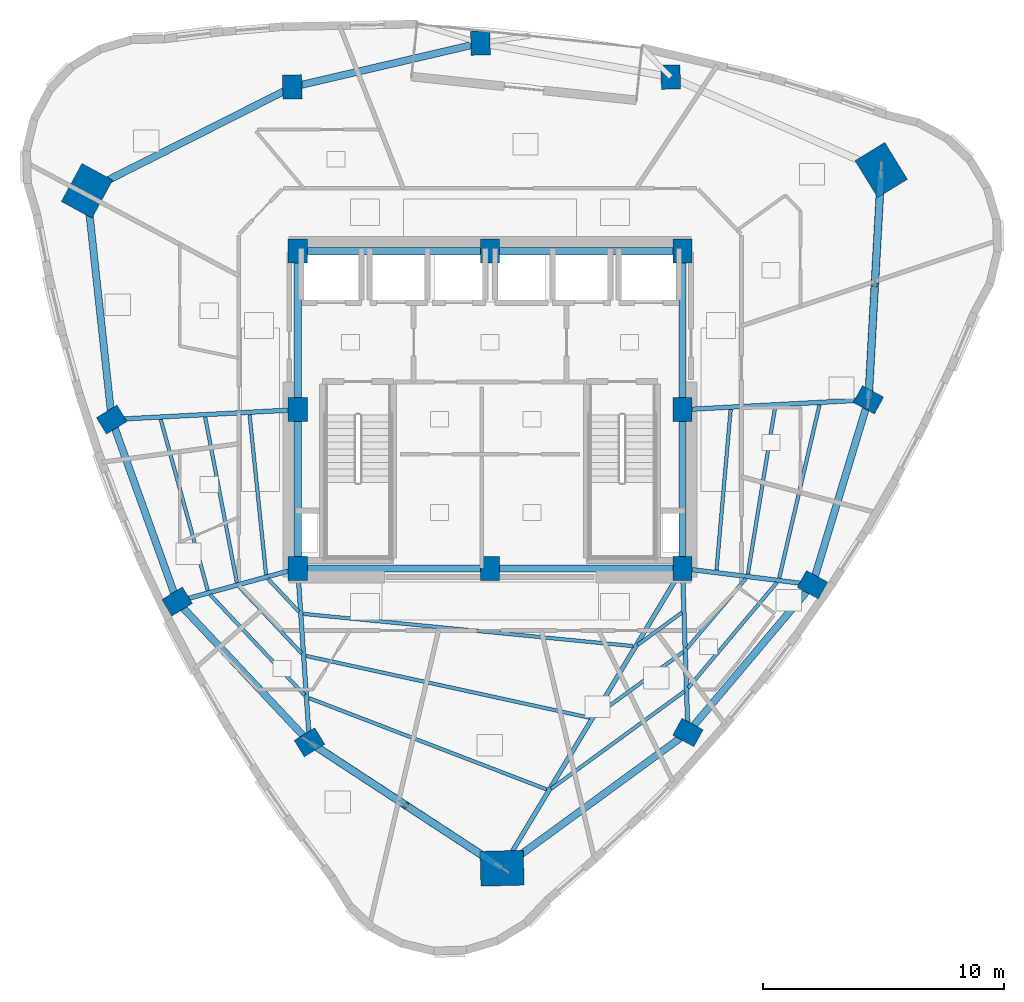
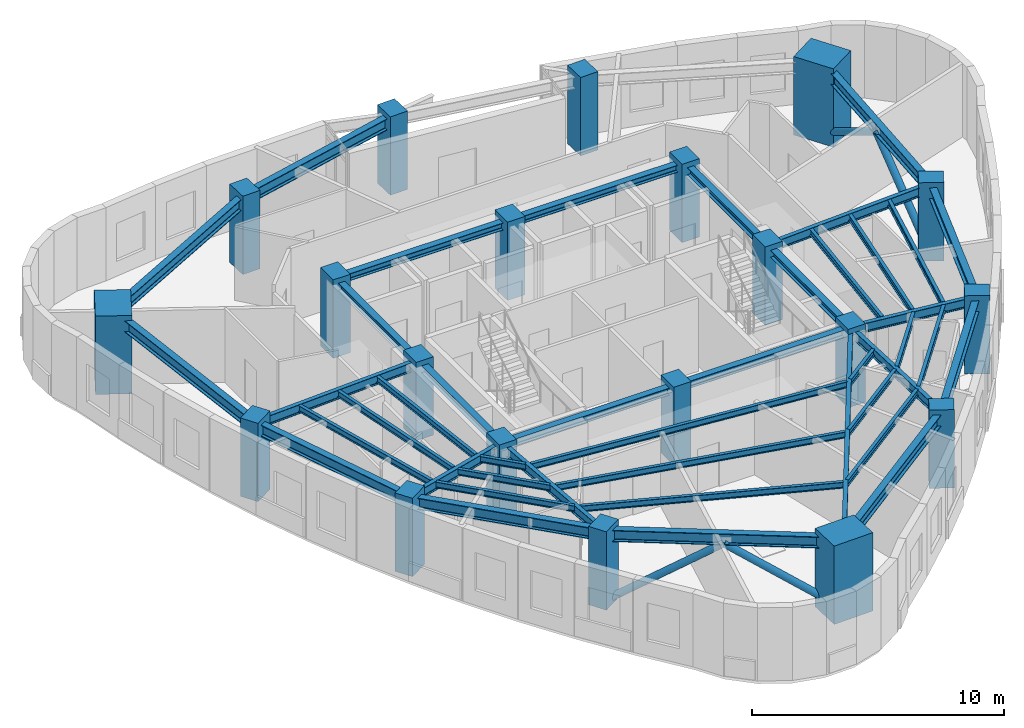
# One storey, part 1 of 12: 42 beams, 20 columns, 4 members.
"""IFC4 building model written with IfcOpenShell, lengths in metres."""

from ifc_helpers import new_model, si_unit, direction, frame, origin, origin_2d, place, context, subcontext, project, spatial, rectangle, hollow_circle, i_section, extrude, material, material_profile, profile_set, type_object, element, save


model = new_model("IFC4")

# Units and contexts
model_context = context("Model", 3, precision=1e-05, world=origin(), true_north=direction((0.0, 1.0)))
body_context = subcontext(model_context, "Body", "Model", "MODEL_VIEW")
ifc_project = project(units=[si_unit("LENGTHUNIT", "METRE"), si_unit("AREAUNIT", "SQUARE_METRE"), si_unit("VOLUMEUNIT", "CUBIC_METRE"), si_unit("PLANEANGLEUNIT", "RADIAN"), si_unit("MASSUNIT", "GRAM", prefix="KILO")], contexts=[model_context])

# Site, building, storey
site_placement = place(None, origin())
site = spatial("IfcSite", under=ifc_project, at=site_placement, CompositionType="ELEMENT")
building_placement = place(site_placement, origin())
building = spatial("IfcBuilding", under=site, at=building_placement, Name="Ndelora Gate Hotel", CompositionType="ELEMENT")
storey_placement = place(building_placement, frame((0.0, 0.0, 190.35009765625)))
storey = spatial("IfcBuildingStorey", under=building, at=storey_placement, Name="L47", CompositionType="ELEMENT", Elevation=190.35009765625)

# Columns
ifc_material_1 = material(Name="Concrete C50/60", Category="concrete")
ifc_material_profile_1 = material_profile(ifc_material_1, rectangle(XDim=0.800048828125, YDim=1.0, at=origin_2d()), Name="RC 1000x800")
ifc_profile_set_1 = profile_set([ifc_material_profile_1], Name="Concrete C50/60")
column_type_1 = type_object("IfcColumnType", Name="COL-CC-HI", PredefinedType="COLUMN", material=ifc_profile_set_1)
for number, where, z_axis, x_axis, name in (
    (1, (-8.0, -6.60009765625, 0.0), (0.0, 0.0, 1.0), (1.0, 0.0, 0.0), "L47 Core Column CC1"),
    (2, (0.0, -6.60009765625, 0.0), (0.0, 0.0, 1.0), (1.0, 0.0, 0.0), "L47 Core Column CC2"),
    (3, (8.0, -6.60009765625, 0.0), (0.0, 0.0, 1.0), (1.0, 0.0, 0.0), "L47 Core Column CC3"),
    (4, (8.0, 0.0, 0.0), (0.0, 0.0, 1.0), (1.0, 0.0, 0.0), "L47 Core Column CC4"),
    (5, (8.0, 6.60009765625, 0.0), (0.0, 0.0, 1.0), (1.0, 0.0, 0.0), "L47 Core Column CC5"),
    (6, (0.0, 6.60009765625, 0.0), (0.0, 0.0, 1.0), (1.0, 0.0, 0.0), "L47 Core Column CC6"),
    (7, (-8.0, 6.60009765625, 0.0), (0.0, 0.0, 1.0), (1.0, 0.0, 0.0), "L47 Core Column CC7"),
    (8, (-8.0, 0.0, 0.0), (0.0, 0.0, 1.0), (1.0, 0.0, 0.0), "L47 Core Column CC8"),
):
    element("IfcColumn", number, at=place(storey_placement, frame(where, z_axis=z_axis, x_axis=x_axis)), inside=storey, type_object=column_type_1, Name=name, PredefinedType="COLUMN", context=body_context, shape_type="SweptSolid", body=[
        extrude(rectangle(XDim=0.800048828125, YDim=1.0, at=origin_2d()), origin(), (0.0, 0.0, 1.0), 3.7998046875),
    ])
ifc_material_profile_2 = material_profile(ifc_material_1, rectangle(XDim=1.449951171875, YDim=1.800048828125, at=origin_2d()), Name="RC 1800x1450")
ifc_profile_set_2 = profile_set([ifc_material_profile_2], Name="Concrete C50/60")
column_type_2 = type_object("IfcColumnType", Name="COL-MC-Z3", PredefinedType="COLUMN", material=ifc_profile_set_2)
for number, where, z_axis, x_axis, name in (
    (9, (-16.759521484375, 9.099609375, 0.0), (0.0, 0.0, 1.0), (-0.878817112662, 0.47715876026, 0.0), "L47 Corner Mega-Column R1"),
    (10, (0.499267578125, -19.064208984375, 0.0), (0.0, 0.0, 1.0), (-0.026176948308, 0.999657324976, 0.0), "L47 Corner Mega-Column R5"),
    (11, (16.26025390625, 9.96435546875, 0.0), (0.0, 0.0, 1.0), (0.852640164354, 0.522498564716, 0.0), "L47 Corner Mega-Column R9"),
):
    element("IfcColumn", number, at=place(storey_placement, frame(where, z_axis=z_axis, x_axis=x_axis)), inside=storey, type_object=column_type_2, Name=name, PredefinedType="COLUMN", context=body_context, shape_type="SweptSolid", body=[
        extrude(rectangle(XDim=1.449951171875, YDim=1.800048828125, at=origin_2d()), origin(), (0.0, 0.0, 1.0), 3.7998046875),
    ])
ifc_material_profile_3 = material_profile(ifc_material_1, rectangle(XDim=0.800048828125, YDim=1.0, at=origin_2d()), Name="RC 1000x800")
ifc_profile_set_3 = profile_set([ifc_material_profile_3], Name="Concrete C50/60")
column_type_3 = type_object("IfcColumnType", Name="COL-PT-Z3", PredefinedType="COLUMN", material=ifc_profile_set_3)
for number, where, z_axis, x_axis, name in (
    (12, (-15.72998046875, -0.411865234375, 0.0), (0.0, 0.0, 1.0), (-0.522498564716, 0.852640164354, 0.0), "L47 Perimeter Tube Column R2"),
    (13, (-13.011962890625, -7.973876953125, 0.0), (0.0, 0.0, 1.0), (-0.522498564716, 0.852640164354, 0.0), "L47 Perimeter Tube Column R3"),
    (14, (-7.50830078125, -13.828369140625, 0.0), (0.0, 0.0, 1.0), (-0.522498564716, 0.852640164354, 0.0), "L47 Perimeter Tube Column R4"),
    (15, (8.223876953125, -13.419921875, 0.0), (0.0, 0.0, 1.0), (0.47715876026, 0.878817112662, 0.0), "L47 Perimeter Tube Column R6"),
    (16, (13.400390625, -7.275634765625, 0.0), (0.0, 0.0, 1.0), (0.47715876026, 0.878817112662, 0.0), "L47 Perimeter Tube Column R7"),
    (17, (15.72998046875, 0.411865234375, 0.0), (0.0, 0.0, 1.0), (0.47715876026, 0.878817112662, 0.0), "L47 Perimeter Tube Column R8"),
    (18, (7.50830078125, 13.828369140625, 0.0), (0.0, 0.0, 1.0), (0.999657324976, 0.026176948308, 0.0), "L47 Perimeter Tube Column R10"),
    (19, (-0.399169921875, 15.242919921875, 0.0), (0.0, 0.0, 1.0), (0.999657324976, 0.026176948308, 0.0), "L47 Perimeter Tube Column R11"),
    (20, (-8.2216796875, 13.41650390625, 0.0), (0.0, 0.0, 1.0), (0.999657324976, 0.026176948308, 0.0), "L47 Perimeter Tube Column R12"),
):
    element("IfcColumn", number, at=place(storey_placement, frame(where, z_axis=z_axis, x_axis=x_axis)), inside=storey, type_object=column_type_3, Name=name, PredefinedType="COLUMN", context=body_context, shape_type="SweptSolid", body=[
        extrude(rectangle(XDim=0.800048828125, YDim=1.0, at=origin_2d()), origin(), (0.0, 0.0, 1.0), 3.7998046875),
    ])

# Beams
ifc_material_2 = material(Name="Steel S355", Category="steel")
ifc_material_profile_4 = material_profile(ifc_material_2, i_section(OverallWidth=0.300048828125, OverallDepth=0.35009765625, WebThickness=0.010009765625, FlangeThickness=0.017578125, FilletRadius=0.027099609375, at=origin_2d()), Name="HEA 360")
ifc_profile_set_4 = profile_set([ifc_material_profile_4], Name="Steel S355")
beam_type_1 = type_object("IfcBeamType", Name="BM-CORE-350", PredefinedType="BEAM", material=ifc_profile_set_4)
for number, where, z_axis, x_axis, name in (
    (21, (-8.0, 6.60009765625, 3.375), (1.0, 0.0, 0.0), (0.0, 1.0, 0.0), "L47 Core Tie Girder CC7-CC6"),
    (22, (0.0, 6.60009765625, 3.375), (1.0, 0.0, 0.0), (0.0, 1.0, 0.0), "L47 Core Tie Girder CC6-CC5"),
):
    element("IfcBeam", number, at=place(storey_placement, frame(where, z_axis=z_axis, x_axis=x_axis)), inside=storey, type_object=beam_type_1, Name=name, PredefinedType="BEAM", context=body_context, shape_type="SweptSolid", body=[
        extrude(i_section(OverallWidth=0.300048828125, OverallDepth=0.35009765625, WebThickness=0.010009765625, FlangeThickness=0.017578125, FilletRadius=0.027099609375, at=origin_2d()), origin(), (0.0, 0.0, 1.0), 8.0),
    ])
for number, where, z_axis, x_axis, name in (
    (23, (-8.0, -6.60009765625, 3.375), (0.0, 1.0, 0.0), (-1.0, 0.0, 0.0), "L47 Core Tie Girder CC1-CC8"),
    (24, (-8.0, 0.0, 3.375), (0.0, 1.0, 0.0), (-1.0, 0.0, 0.0), "L47 Core Tie Girder CC8-CC7"),
    (25, (8.0, -6.60009765625, 3.375), (0.0, 1.0, 0.0), (-1.0, 0.0, 0.0), "L47 Core Tie Girder CC3-CC4"),
    (26, (8.0, 0.0, 3.375), (0.0, 1.0, 0.0), (-1.0, 0.0, 0.0), "L47 Core Tie Girder CC4-CC5"),
):
    element("IfcBeam", number, at=place(storey_placement, frame(where, z_axis=z_axis, x_axis=x_axis)), inside=storey, type_object=beam_type_1, Name=name, PredefinedType="BEAM", context=body_context, shape_type="SweptSolid", body=[
        extrude(i_section(OverallWidth=0.300048828125, OverallDepth=0.35009765625, WebThickness=0.010009765625, FlangeThickness=0.017578125, FilletRadius=0.027099609375, at=origin_2d()), origin(), (0.0, 0.0, 1.0), 6.60009765625),
    ])
for number, where, z_axis, x_axis, name in (
    (27, (-8.0, -6.60009765625, 3.375), (1.0, 0.0, 0.0), (0.0, 1.0, 0.0), "L47 Core Tie Girder CC1-CC2"),
    (28, (0.0, -6.60009765625, 3.375), (1.0, 0.0, 0.0), (0.0, 1.0, 0.0), "L47 Core Tie Girder CC2-CC3"),
):
    element("IfcBeam", number, at=place(storey_placement, frame(where, z_axis=z_axis, x_axis=x_axis)), inside=storey, type_object=beam_type_1, Name=name, PredefinedType="BEAM", context=body_context, shape_type="SweptSolid", body=[
        extrude(i_section(OverallWidth=0.300048828125, OverallDepth=0.35009765625, WebThickness=0.010009765625, FlangeThickness=0.017578125, FilletRadius=0.027099609375, at=origin_2d()), origin(), (0.0, 0.0, 1.0), 8.0),
    ])
ifc_material_profile_5 = material_profile(ifc_material_2, i_section(OverallWidth=0.14990234375, OverallDepth=0.300048828125, WebThickness=0.007080078125, FlangeThickness=0.0107421875, FilletRadius=0.014892578125, at=origin_2d()), Name="IPE 300")
ifc_profile_set_5 = profile_set([ifc_material_profile_5], Name="Steel S355")
beam_type_2 = type_object("IfcBeamType", Name="BM-JST-300", PredefinedType="JOIST", material=ifc_profile_set_5)
beam_1_placement = place(storey_placement, frame((-9.9990234375, -0.21142578125, 3.39990234375), z_axis=(0.10260596827, -0.994722079415, 0.0), x_axis=(0.994722079415, 0.10260596827, 0.0)))
element("IfcBeam", 29, at=beam_1_placement, inside=storey, type_object=beam_type_2, Name="L47 Secondary Composite Floor Joist IN-2", PredefinedType="JOIST", context=body_context, shape_type="SweptSolid", body=[
    extrude(i_section(OverallWidth=0.14990234375, OverallDepth=0.300048828125, WebThickness=0.007080078125, FlangeThickness=0.0107421875, FilletRadius=0.014892578125, at=origin_2d()), origin(), (0.0, 0.0, 1.0), 6.676513671875),
])
beam_2_placement = place(storey_placement, frame((-11.84521484375, -0.30908203125, 3.39990234375), z_axis=(0.188470955684, -0.982078764083, 0.0), x_axis=(0.982078764083, 0.188470955684, 0.0)))
element("IfcBeam", 30, at=beam_2_placement, inside=storey, type_object=beam_type_2, Name="L47 Secondary Composite Floor Joist MID-2", PredefinedType="JOIST", context=body_context, shape_type="SweptSolid", body=[
    extrude(i_section(OverallWidth=0.14990234375, OverallDepth=0.300048828125, WebThickness=0.007080078125, FlangeThickness=0.0107421875, FilletRadius=0.014892578125, at=origin_2d()), origin(), (0.0, 0.0, 1.0), 7.000244140625),
])
beam_3_placement = place(storey_placement, frame((-13.6923828125, -0.406005859375, 3.39990234375), z_axis=(0.2652180483, -0.964188460238, 0.0), x_axis=(0.964188460238, 0.2652180483, 0.0)))
element("IfcBeam", 31, at=beam_3_placement, inside=storey, type_object=beam_type_2, Name="L47 Secondary Composite Floor Joist OUT-2", PredefinedType="JOIST", context=body_context, shape_type="SweptSolid", body=[
    extrude(i_section(OverallWidth=0.14990234375, OverallDepth=0.300048828125, WebThickness=0.007080078125, FlangeThickness=0.0107421875, FilletRadius=0.014892578125, at=origin_2d()), origin(), (0.0, 0.0, 1.0), 7.37353515625),
])
beam_4_placement = place(storey_placement, frame((-9.231201171875, -7.03369140625, 3.39990234375), z_axis=(0.684943115963, -0.728596546722, 0.0), x_axis=(0.728596546722, 0.684943115963, 0.0)))
element("IfcBeam", 32, at=beam_4_placement, inside=storey, type_object=beam_type_2, Name="L47 Secondary Composite Floor Joist IN-3", PredefinedType="JOIST", context=body_context, shape_type="SweptSolid", body=[
    extrude(i_section(OverallWidth=0.14990234375, OverallDepth=0.300048828125, WebThickness=0.007080078125, FlangeThickness=0.0107421875, FilletRadius=0.014892578125, at=origin_2d()), origin(), (0.0, 0.0, 1.0), 1.879150390625),
])
beam_5_placement = place(storey_placement, frame((-10.43408203125, -7.36328125, 3.39990234375), z_axis=(0.684938600536, -0.728600791584, 0.0), x_axis=(0.728600791584, 0.684938600536, 0.0)))
element("IfcBeam", 33, at=beam_5_placement, inside=storey, type_object=beam_type_2, Name="L47 Secondary Composite Floor Joist MID-3", PredefinedType="JOIST", context=body_context, shape_type="SweptSolid", body=[
    extrude(i_section(OverallWidth=0.14990234375, OverallDepth=0.300048828125, WebThickness=0.007080078125, FlangeThickness=0.0107421875, FilletRadius=0.014892578125, at=origin_2d()), origin(), (0.0, 0.0, 1.0), 3.807861328125),
])
beam_6_placement = place(storey_placement, frame((-11.636962890625, -7.693115234375, 3.39990234375), z_axis=(0.68493576734, -0.728603454986, 0.0), x_axis=(0.728603454986, 0.68493576734, 0.0)))
element("IfcBeam", 34, at=beam_6_placement, inside=storey, type_object=beam_type_2, Name="L47 Secondary Composite Floor Joist OUT-3", PredefinedType="JOIST", context=body_context, shape_type="SweptSolid", body=[
    extrude(i_section(OverallWidth=0.14990234375, OverallDepth=0.300048828125, WebThickness=0.007080078125, FlangeThickness=0.0107421875, FilletRadius=0.014892578125, at=origin_2d()), origin(), (0.0, 0.0, 1.0), 5.736328125),
])
beam_7_placement = place(storey_placement, frame((-7.767578125, -8.489501953125, 3.39990234375), z_axis=(0.995253727902, -0.097314012848, 0.0), x_axis=(0.097314012848, 0.995253727902, 0.0)))
element("IfcBeam", 35, at=beam_7_placement, inside=storey, type_object=beam_type_2, Name="L47 Secondary Composite Floor Joist IN-4", PredefinedType="JOIST", context=body_context, shape_type="SweptSolid", body=[
    extrude(i_section(OverallWidth=0.14990234375, OverallDepth=0.300048828125, WebThickness=0.007080078125, FlangeThickness=0.0107421875, FilletRadius=0.014892578125, at=origin_2d()), origin(), (0.0, 0.0, 1.0), 13.7783203125),
])
beam_8_placement = place(storey_placement, frame((-7.651611328125, -10.236572265625, 3.39990234375), z_axis=(0.977032906758, -0.213088477191, 0.0), x_axis=(0.213088477191, 0.977032906758, 0.0)))
element("IfcBeam", 36, at=beam_8_placement, inside=storey, type_object=beam_type_2, Name="L47 Secondary Composite Floor Joist MID-4", PredefinedType="JOIST", context=body_context, shape_type="SweptSolid", body=[
    extrude(i_section(OverallWidth=0.14990234375, OverallDepth=0.300048828125, WebThickness=0.007080078125, FlangeThickness=0.0107421875, FilletRadius=0.014892578125, at=origin_2d()), origin(), (0.0, 0.0, 1.0), 12.075927734375),
])
beam_9_placement = place(storey_placement, frame((-7.5380859375, -11.98681640625, 3.39990234375), z_axis=(0.933489266504, -0.358605339227, 0.0), x_axis=(0.358605339227, 0.933489266504, 0.0)))
element("IfcBeam", 37, at=beam_9_placement, inside=storey, type_object=beam_type_2, Name="L47 Secondary Composite Floor Joist OUT-4", PredefinedType="JOIST", context=body_context, shape_type="SweptSolid", body=[
    extrude(i_section(OverallWidth=0.14990234375, OverallDepth=0.300048828125, WebThickness=0.007080078125, FlangeThickness=0.0107421875, FilletRadius=0.014892578125, at=origin_2d()), origin(), (0.0, 0.0, 1.0), 10.593994140625),
])
beam_10_placement = place(storey_placement, frame((6.134521484375, -9.77880859375, 3.39990234375), z_axis=(0.80739897839, 0.590005838696, 0.0), x_axis=(-0.590005838696, 0.80739897839, 0.0)))
element("IfcBeam", 38, at=beam_10_placement, inside=storey, type_object=beam_type_2, Name="L47 Secondary Composite Floor Joist IN-5", PredefinedType="JOIST", context=body_context, shape_type="SweptSolid", body=[
    extrude(i_section(OverallWidth=0.14990234375, OverallDepth=0.300048828125, WebThickness=0.007080078125, FlangeThickness=0.0107421875, FilletRadius=0.014892578125, at=origin_2d()), origin(), (0.0, 0.0, 1.0), 2.277587890625),
])
beam_11_placement = place(storey_placement, frame((4.33447265625, -12.77001953125, 3.39990234375), z_axis=(0.807439047151, 0.589951002318, 0.0), x_axis=(-0.589951002318, 0.807439047151, 0.0)))
element("IfcBeam", 39, at=beam_11_placement, inside=storey, type_object=beam_type_2, Name="L47 Secondary Composite Floor Joist MID-5", PredefinedType="JOIST", context=body_context, shape_type="SweptSolid", body=[
    extrude(i_section(OverallWidth=0.14990234375, OverallDepth=0.300048828125, WebThickness=0.007080078125, FlangeThickness=0.0107421875, FilletRadius=0.014892578125, at=origin_2d()), origin(), (0.0, 0.0, 1.0), 4.5732421875),
])
beam_12_placement = place(storey_placement, frame((2.5341796875, -15.761474609375, 3.39990234375), z_axis=(0.807430841486, 0.589962232874, 0.0), x_axis=(-0.589962232874, 0.807430841486, 0.0)))
element("IfcBeam", 40, at=beam_12_placement, inside=storey, type_object=beam_type_2, Name="L47 Secondary Composite Floor Joist OUT-5", PredefinedType="JOIST", context=body_context, shape_type="SweptSolid", body=[
    extrude(i_section(OverallWidth=0.14990234375, OverallDepth=0.300048828125, WebThickness=0.007080078125, FlangeThickness=0.0107421875, FilletRadius=0.014892578125, at=origin_2d()), origin(), (0.0, 0.0, 1.0), 6.869384765625),
])
beam_13_placement = place(storey_placement, frame((8.1796875, -9.9296875, 3.39990234375), z_axis=(0.644319387893, 0.764756514444, 0.0), x_axis=(-0.764756514444, 0.644319387893, 0.0)))
element("IfcBeam", 41, at=beam_13_placement, inside=storey, type_object=beam_type_2, Name="L47 Secondary Composite Floor Joist MID-6", PredefinedType="JOIST", context=body_context, shape_type="SweptSolid", body=[
    extrude(i_section(OverallWidth=0.14990234375, OverallDepth=0.300048828125, WebThickness=0.007080078125, FlangeThickness=0.0107421875, FilletRadius=0.014892578125, at=origin_2d()), origin(), (0.0, 0.0, 1.0), 3.806884765625),
])
beam_14_placement = place(storey_placement, frame((8.2333984375, -11.56640625, 3.39990234375), z_axis=(0.644324492463, 0.764752213735, 0.0), x_axis=(-0.764752213735, 0.644324492463, 0.0)))
element("IfcBeam", 42, at=beam_14_placement, inside=storey, type_object=beam_type_2, Name="L47 Secondary Composite Floor Joist OUT-6", PredefinedType="JOIST", context=body_context, shape_type="SweptSolid", body=[
    extrude(i_section(OverallWidth=0.14990234375, OverallDepth=0.300048828125, WebThickness=0.007080078125, FlangeThickness=0.0107421875, FilletRadius=0.014892578125, at=origin_2d()), origin(), (0.0, 0.0, 1.0), 5.735107421875),
])
beam_15_placement = place(storey_placement, frame((9.413330078125, -6.671142578125, 3.39990234375), z_axis=(0.087643872384, 0.996151871771, 0.0), x_axis=(-0.996151871771, 0.087643872384, 0.0)))
element("IfcBeam", 43, at=beam_15_placement, inside=storey, type_object=beam_type_2, Name="L47 Secondary Composite Floor Joist IN-7", PredefinedType="JOIST", context=body_context, shape_type="SweptSolid", body=[
    extrude(i_section(OverallWidth=0.14990234375, OverallDepth=0.300048828125, WebThickness=0.007080078125, FlangeThickness=0.0107421875, FilletRadius=0.014892578125, at=origin_2d()), origin(), (0.0, 0.0, 1.0), 6.699462890625),
])
beam_16_placement = place(storey_placement, frame((10.717041015625, -6.834228515625, 3.39990234375), z_axis=(0.160939239626, 0.986964316046, 0.0), x_axis=(-0.986964316046, 0.160939239626, 0.0)))
element("IfcBeam", 44, at=beam_16_placement, inside=storey, type_object=beam_type_2, Name="L47 Secondary Composite Floor Joist MID-7", PredefinedType="JOIST", context=body_context, shape_type="SweptSolid", body=[
    extrude(i_section(OverallWidth=0.14990234375, OverallDepth=0.300048828125, WebThickness=0.007080078125, FlangeThickness=0.0107421875, FilletRadius=0.014892578125, at=origin_2d()), origin(), (0.0, 0.0, 1.0), 7.028076171875),
])
beam_17_placement = place(storey_placement, frame((12.02001953125, -6.997802734375, 3.39990234375), z_axis=(0.22674518397, 0.973954116756, 0.0), x_axis=(-0.973954116756, 0.22674518397, 0.0)))
element("IfcBeam", 45, at=beam_17_placement, inside=storey, type_object=beam_type_2, Name="L47 Secondary Composite Floor Joist OUT-7", PredefinedType="JOIST", context=body_context, shape_type="SweptSolid", body=[
    extrude(i_section(OverallWidth=0.14990234375, OverallDepth=0.300048828125, WebThickness=0.007080078125, FlangeThickness=0.0107421875, FilletRadius=0.014892578125, at=origin_2d()), origin(), (0.0, 0.0, 1.0), 7.392822265625),
])
ifc_material_profile_6 = material_profile(ifc_material_2, i_section(OverallWidth=0.18994140625, OverallDepth=0.449951171875, WebThickness=0.009521484375, FlangeThickness=0.0146484375, FilletRadius=0.02099609375, at=origin_2d()), Name="IPE 450")
ifc_profile_set_6 = profile_set([ifc_material_profile_6], Name="Steel S355")
beam_type_3 = type_object("IfcBeamType", Name="BM-RAD-450", PredefinedType="BEAM", material=ifc_profile_set_6)
beam_18_placement = place(storey_placement, frame((-8.0, 0.0, 3.324951171875), z_axis=(-0.998583554121, -0.053206065814, 0.0), x_axis=(0.053206065814, -0.998583554121, 0.0)))
element("IfcBeam", 46, at=beam_18_placement, inside=storey, type_object=beam_type_3, Name="L47 Radial Floor Girder 2", PredefinedType="BEAM", context=body_context, shape_type="SweptSolid", body=[
    extrude(i_section(OverallWidth=0.18994140625, OverallDepth=0.449951171875, WebThickness=0.009521484375, FlangeThickness=0.0146484375, FilletRadius=0.02099609375, at=origin_2d()), origin(), (0.0, 0.0, 1.0), 7.740966796875),
])
beam_19_placement = place(storey_placement, frame((-8.0, -6.60009765625, 3.324951171875), z_axis=(-0.96442695542, -0.264349480157, 0.0), x_axis=(0.264349480157, -0.96442695542, 0.0)))
element("IfcBeam", 47, at=beam_19_placement, inside=storey, type_object=beam_type_3, Name="L47 Radial Floor Girder 3", PredefinedType="BEAM", context=body_context, shape_type="SweptSolid", body=[
    extrude(i_section(OverallWidth=0.18994140625, OverallDepth=0.449951171875, WebThickness=0.009521484375, FlangeThickness=0.0146484375, FilletRadius=0.02099609375, at=origin_2d()), origin(), (0.0, 0.0, 1.0), 5.19677734375),
])
beam_20_placement = place(storey_placement, frame((-8.0, -6.60009765625, 3.324951171875), z_axis=(0.067867612113, -0.997694335569, 0.0), x_axis=(0.997694335569, 0.067867612113, 0.0)))
element("IfcBeam", 48, at=beam_20_placement, inside=storey, type_object=beam_type_3, Name="L47 Radial Floor Girder 4", PredefinedType="BEAM", context=body_context, shape_type="SweptSolid", body=[
    extrude(i_section(OverallWidth=0.18994140625, OverallDepth=0.449951171875, WebThickness=0.009521484375, FlangeThickness=0.0146484375, FilletRadius=0.02099609375, at=origin_2d()), origin(), (0.0, 0.0, 1.0), 7.244873046875),
])
beam_21_placement = place(storey_placement, frame((8.0, -6.60009765625, 3.324951171875), z_axis=(-0.515620753203, -0.856816922607, 0.0), x_axis=(0.856816922607, -0.515620753203, 0.0)))
element("IfcBeam", 49, at=beam_21_placement, inside=storey, type_object=beam_type_3, Name="L47 Radial Floor Girder 5", PredefinedType="BEAM", context=body_context, shape_type="SweptSolid", body=[
    extrude(i_section(OverallWidth=0.18994140625, OverallDepth=0.449951171875, WebThickness=0.009521484375, FlangeThickness=0.0146484375, FilletRadius=0.02099609375, at=origin_2d()), origin(), (0.0, 0.0, 1.0), 14.546875),
])
beam_22_placement = place(storey_placement, frame((8.0, -6.60009765625, 3.324951171875), z_axis=(0.032809705109, -0.999461616697, 0.0), x_axis=(0.999461616697, 0.032809705109, 0.0)))
element("IfcBeam", 50, at=beam_22_placement, inside=storey, type_object=beam_type_3, Name="L47 Radial Floor Girder 6", PredefinedType="BEAM", context=body_context, shape_type="SweptSolid", body=[
    extrude(i_section(OverallWidth=0.18994140625, OverallDepth=0.449951171875, WebThickness=0.009521484375, FlangeThickness=0.0146484375, FilletRadius=0.02099609375, at=origin_2d()), origin(), (0.0, 0.0, 1.0), 6.823486328125),
])
beam_23_placement = place(storey_placement, frame((8.0, -6.60009765625, 3.324951171875), z_axis=(0.992266830725, -0.124123070552, 0.0), x_axis=(0.124123070552, 0.992266830725, 0.0)))
element("IfcBeam", 51, at=beam_23_placement, inside=storey, type_object=beam_type_3, Name="L47 Radial Floor Girder 7", PredefinedType="BEAM", context=body_context, shape_type="SweptSolid", body=[
    extrude(i_section(OverallWidth=0.18994140625, OverallDepth=0.449951171875, WebThickness=0.009521484375, FlangeThickness=0.0146484375, FilletRadius=0.02099609375, at=origin_2d()), origin(), (0.0, 0.0, 1.0), 5.4423828125),
])
beam_24_placement = place(storey_placement, frame((8.0, 0.0, 3.324951171875), z_axis=(0.998583554121, 0.053206065814, 0.0), x_axis=(-0.053206065814, 0.998583554121, 0.0)))
element("IfcBeam", 52, at=beam_24_placement, inside=storey, type_object=beam_type_3, Name="L47 Radial Floor Girder 8", PredefinedType="BEAM", context=body_context, shape_type="SweptSolid", body=[
    extrude(i_section(OverallWidth=0.18994140625, OverallDepth=0.449951171875, WebThickness=0.009521484375, FlangeThickness=0.0146484375, FilletRadius=0.02099609375, at=origin_2d()), origin(), (0.0, 0.0, 1.0), 7.740966796875),
])
ifc_material_profile_7 = material_profile(ifc_material_2, i_section(OverallWidth=0.300048828125, OverallDepth=0.550048828125, WebThickness=0.014892578125, FlangeThickness=0.029052734375, FilletRadius=0.027099609375, at=origin_2d()), Name="HEB 550")
ifc_profile_set_7 = profile_set([ifc_material_profile_7], Name="Steel S355")
beam_type_4 = type_object("IfcBeamType", Name="BM-RING-550", PredefinedType="SPANDREL", material=ifc_profile_set_7)
beam_25_placement = place(storey_placement, frame((-16.759521484375, 9.099609375, 3.27490234375), z_axis=(0.107613416645, -0.994192814578, 0.0), x_axis=(0.994192814578, 0.107613416645, 0.0)))
element("IfcBeam", 53, at=beam_25_placement, inside=storey, type_object=beam_type_4, Name="L47 Perimeter Spandrel Girder 1", PredefinedType="SPANDREL", context=body_context, shape_type="SweptSolid", body=[
    extrude(i_section(OverallWidth=0.300048828125, OverallDepth=0.550048828125, WebThickness=0.014892578125, FlangeThickness=0.029052734375, FilletRadius=0.027099609375, at=origin_2d()), origin(), (0.0, 0.0, 1.0), 9.567138671875),
])
beam_26_placement = place(storey_placement, frame((-15.72998046875, -0.411865234375, 3.27490234375), z_axis=(0.338244972382, -0.941058095262, 0.0), x_axis=(0.941058095262, 0.338244972382, 0.0)))
element("IfcBeam", 54, at=beam_26_placement, inside=storey, type_object=beam_type_4, Name="L47 Perimeter Spandrel Girder 2", PredefinedType="SPANDREL", context=body_context, shape_type="SweptSolid", body=[
    extrude(i_section(OverallWidth=0.300048828125, OverallDepth=0.550048828125, WebThickness=0.014892578125, FlangeThickness=0.029052734375, FilletRadius=0.027099609375, at=origin_2d()), origin(), (0.0, 0.0, 1.0), 8.03564453125),
])
beam_27_placement = place(storey_placement, frame((-13.011962890625, -7.973876953125, 3.27490234375), z_axis=(0.684939043371, -0.728600375285, 0.0), x_axis=(0.728600375285, 0.684939043371, 0.0)))
element("IfcBeam", 55, at=beam_27_placement, inside=storey, type_object=beam_type_4, Name="L47 Perimeter Spandrel Girder 3", PredefinedType="SPANDREL", context=body_context, shape_type="SweptSolid", body=[
    extrude(i_section(OverallWidth=0.300048828125, OverallDepth=0.550048828125, WebThickness=0.014892578125, FlangeThickness=0.029052734375, FilletRadius=0.027099609375, at=origin_2d()), origin(), (0.0, 0.0, 1.0), 8.03515625),
])
beam_28_placement = place(storey_placement, frame((-7.50830078125, -13.828369140625, 3.27490234375), z_axis=(0.836963769915, -0.547258300851, 0.0), x_axis=(0.547258300851, 0.836963769915, 0.0)))
element("IfcBeam", 56, at=beam_28_placement, inside=storey, type_object=beam_type_4, Name="L47 Perimeter Spandrel Girder 4", PredefinedType="SPANDREL", context=body_context, shape_type="SweptSolid", body=[
    extrude(i_section(OverallWidth=0.300048828125, OverallDepth=0.550048828125, WebThickness=0.014892578125, FlangeThickness=0.029052734375, FilletRadius=0.027099609375, at=origin_2d()), origin(), (0.0, 0.0, 1.0), 9.5673828125),
])
beam_29_placement = place(storey_placement, frame((0.499267578125, -19.064208984375, 3.27490234375), z_axis=(0.807421980226, 0.58997436033, 0.0), x_axis=(-0.58997436033, 0.807421980226, 0.0)))
element("IfcBeam", 57, at=beam_29_placement, inside=storey, type_object=beam_type_4, Name="L47 Perimeter Spandrel Girder 5", PredefinedType="SPANDREL", context=body_context, shape_type="SweptSolid", body=[
    extrude(i_section(OverallWidth=0.300048828125, OverallDepth=0.550048828125, WebThickness=0.014892578125, FlangeThickness=0.029052734375, FilletRadius=0.027099609375, at=origin_2d()), origin(), (0.0, 0.0, 1.0), 9.56689453125),
])
beam_30_placement = place(storey_placement, frame((8.223876953125, -13.419921875, 3.27490234375), z_axis=(0.644308845181, 0.764765396721, 0.0), x_axis=(-0.764765396721, 0.644308845181, 0.0)))
element("IfcBeam", 58, at=beam_30_placement, inside=storey, type_object=beam_type_4, Name="L47 Perimeter Spandrel Girder 6", PredefinedType="SPANDREL", context=body_context, shape_type="SweptSolid", body=[
    extrude(i_section(OverallWidth=0.300048828125, OverallDepth=0.550048828125, WebThickness=0.014892578125, FlangeThickness=0.029052734375, FilletRadius=0.027099609375, at=origin_2d()), origin(), (0.0, 0.0, 1.0), 8.0341796875),
])
beam_31_placement = place(storey_placement, frame((13.400390625, -7.275634765625, 3.27490234375), z_axis=(0.290012456561, 0.957022870698, 0.0), x_axis=(-0.957022870698, 0.290012456561, 0.0)))
element("IfcBeam", 59, at=beam_31_placement, inside=storey, type_object=beam_type_4, Name="L47 Perimeter Spandrel Girder 7", PredefinedType="SPANDREL", context=body_context, shape_type="SweptSolid", body=[
    extrude(i_section(OverallWidth=0.300048828125, OverallDepth=0.550048828125, WebThickness=0.014892578125, FlangeThickness=0.029052734375, FilletRadius=0.027099609375, at=origin_2d()), origin(), (0.0, 0.0, 1.0), 8.03271484375),
])
beam_32_placement = place(storey_placement, frame((15.72998046875, 0.411865234375, 3.27490234375), z_axis=(0.055426206248, 0.998462786318, 0.0), x_axis=(-0.998462786318, 0.055426206248, 0.0)))
element("IfcBeam", 60, at=beam_32_placement, inside=storey, type_object=beam_type_4, Name="L47 Perimeter Spandrel Girder 8", PredefinedType="SPANDREL", context=body_context, shape_type="SweptSolid", body=[
    extrude(i_section(OverallWidth=0.300048828125, OverallDepth=0.550048828125, WebThickness=0.014892578125, FlangeThickness=0.029052734375, FilletRadius=0.027099609375, at=origin_2d()), origin(), (0.0, 0.0, 1.0), 9.567138671875),
])
beam_33_placement = place(storey_placement, frame((-0.399169921875, 15.242919921875, 3.27490234375), z_axis=(-0.973809142107, -0.227367004529, 0.0), x_axis=(0.227367004529, -0.973809142107, 0.0)))
element("IfcBeam", 61, at=beam_33_placement, inside=storey, type_object=beam_type_4, Name="L47 Perimeter Spandrel Girder 11", PredefinedType="SPANDREL", context=body_context, shape_type="SweptSolid", body=[
    extrude(i_section(OverallWidth=0.300048828125, OverallDepth=0.550048828125, WebThickness=0.014892578125, FlangeThickness=0.029052734375, FilletRadius=0.027099609375, at=origin_2d()), origin(), (0.0, 0.0, 1.0), 8.032958984375),
])
beam_34_placement = place(storey_placement, frame((-8.2216796875, 13.41650390625, 3.27490234375), z_axis=(-0.89241242978, -0.451220628045, 0.0), x_axis=(0.451220628045, -0.89241242978, 0.0)))
element("IfcBeam", 62, at=beam_34_placement, inside=storey, type_object=beam_type_4, Name="L47 Perimeter Spandrel Girder 12", PredefinedType="SPANDREL", context=body_context, shape_type="SweptSolid", body=[
    extrude(i_section(OverallWidth=0.300048828125, OverallDepth=0.550048828125, WebThickness=0.014892578125, FlangeThickness=0.029052734375, FilletRadius=0.027099609375, at=origin_2d()), origin(), (0.0, 0.0, 1.0), 9.567138671875),
])

# Members
ifc_material_profile_8 = material_profile(ifc_material_2, hollow_circle(Radius=0.161865234375, WallThickness=0.01611328125, at=origin_2d()), Name="CHS 323.9x16")
ifc_profile_set_8 = profile_set([ifc_material_profile_8], Name="Steel S355")
member_type = type_object("IfcMemberType", Name="MB-TUBE-324", PredefinedType="BRACE", material=ifc_profile_set_8)
for number, where, z_axis, x_axis, name in (
    (63, (-7.50830078125, -13.828369140625, 0.02001953125), (0.710410062042, -0.46449555459, 0.528735683981), (0.547246612916, 0.836971412088, 0.0), "L47 Perimeter Braced-Tube Diagonal 4A"),
    (64, (0.499267578125, -19.064208984375, 0.02001953125), (-0.710388605042, 0.464509848885, 0.528751955189), (-0.547269989178, -0.836956127252, 0.0), "L47 Perimeter Braced-Tube Diagonal 4B"),
):
    element("IfcMember", number, at=place(storey_placement, frame(where, z_axis=z_axis, x_axis=x_axis)), inside=storey, type_object=member_type, Name=name, PredefinedType="BRACE", context=body_context, shape_type="SweptSolid", body=[
        extrude(hollow_circle(Radius=0.161865234375, WallThickness=0.01611328125, at=origin_2d()), origin(), (0.0, 0.0, 1.0), 5.635986328125),
    ])
member_1_placement = place(storey_placement, frame((15.72998046875, 0.411865234375, 0.02001953125), z_axis=(0.047045319089, 0.847465540823, 0.528761661876), x_axis=(-0.99846270792, 0.055427618504, 0.0)))
element("IfcMember", 65, at=member_1_placement, inside=storey, type_object=member_type, Name="L47 Perimeter Braced-Tube Diagonal 8A", PredefinedType="BRACE", context=body_context, shape_type="SweptSolid", body=[
    extrude(hollow_circle(Radius=0.161865234375, WallThickness=0.01611328125, at=origin_2d()), origin(), (0.0, 0.0, 1.0), 5.6357421875),
])
member_2_placement = place(storey_placement, frame((16.26025390625, 9.96435546875, 0.02001953125), z_axis=(-0.04704359201, -0.847477747768, 0.528742250524), x_axis=(0.998462864709, -0.055424794064, 0.0)))
element("IfcMember", 66, at=member_2_placement, inside=storey, type_object=member_type, Name="L47 Perimeter Braced-Tube Diagonal 8B", PredefinedType="BRACE", context=body_context, shape_type="SweptSolid", body=[
    extrude(hollow_circle(Radius=0.161865234375, WallThickness=0.01611328125, at=origin_2d()), origin(), (0.0, 0.0, 1.0), 5.635986328125),
])

save(model, "model.ifc")
